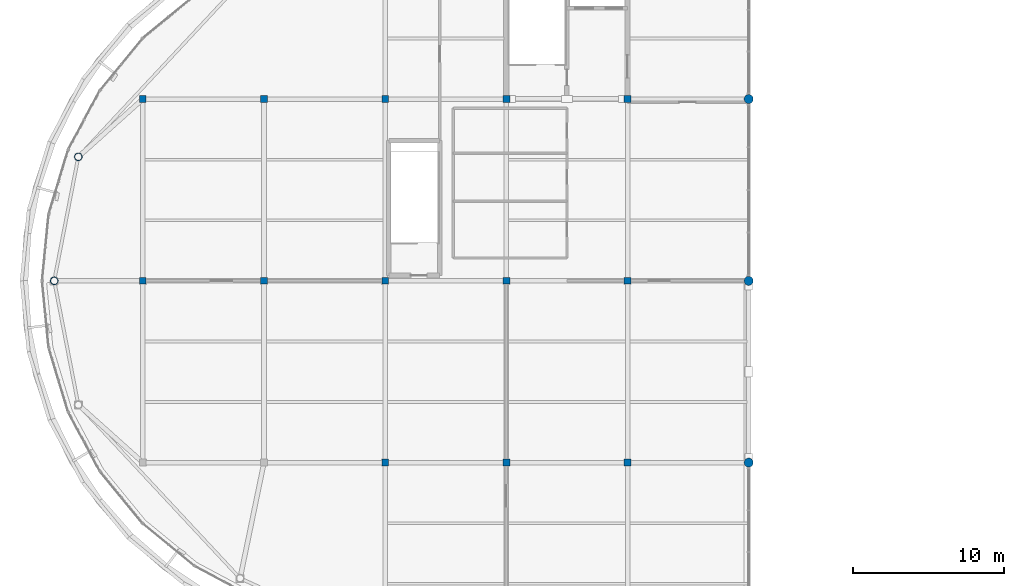
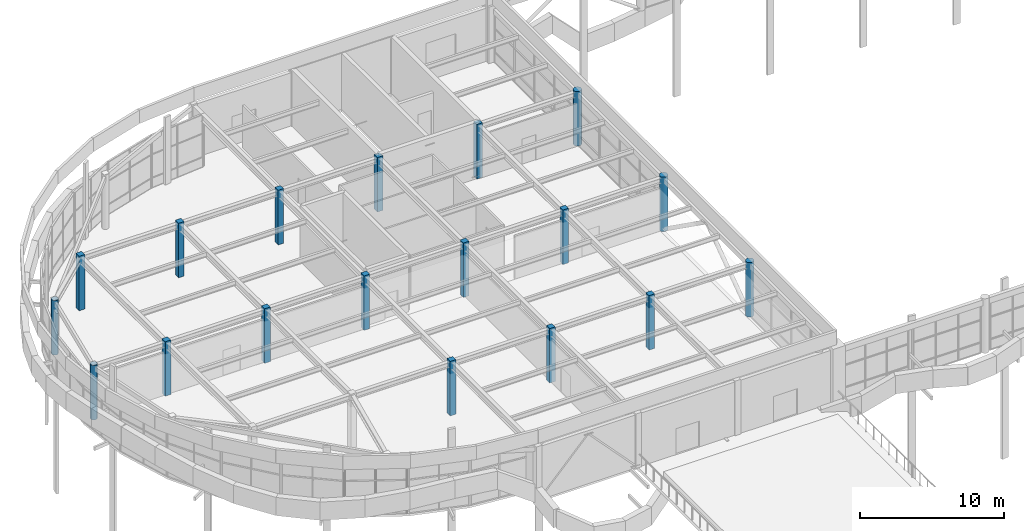
# One storey, part 2 of 63: 18 columns.
"""IFC4 building model written with IfcOpenShell, lengths in metres."""

from ifc_helpers import new_model, si_unit, direction, frame, origin, origin_2d, place, context, subcontext, project, spatial, rectangle, circle, hollow_circle, extrude, material, material_profile, profile_set, type_object, element, save


model = new_model("IFC4")

# Units and contexts
model_context = context("Model", 3, precision=1e-05, world=origin(), true_north=direction((0.0, 1.0)))
body_context = subcontext(model_context, "Body", "Model", "MODEL_VIEW")
ifc_project = project(units=[si_unit("LENGTHUNIT", "METRE"), si_unit("AREAUNIT", "SQUARE_METRE"), si_unit("VOLUMEUNIT", "CUBIC_METRE"), si_unit("PLANEANGLEUNIT", "RADIAN"), si_unit("MASSUNIT", "GRAM", prefix="KILO")], contexts=[model_context])

# Site, building, storey
site_placement = place(None, origin())
site = spatial("IfcSite", under=ifc_project, at=site_placement, CompositionType="ELEMENT")
building_placement = place(site_placement, origin())
building = spatial("IfcBuilding", under=site, at=building_placement, Name="Keelwater Ferry Terminal", CompositionType="ELEMENT")
storey_placement = place(building_placement, frame((0.0, 0.0, 10.199951171875)))
storey = spatial("IfcBuildingStorey", under=building, at=storey_placement, Name="L02", CompositionType="ELEMENT", Elevation=10.199951171875)

# Columns
ifc_material_1 = material(Name="Concrete C45/55", Category="concrete")
ifc_material_profile_1 = material_profile(ifc_material_1, rectangle(XDim=0.449951171875, YDim=0.449951171875, at=origin_2d()), Name="RC 450x450")
ifc_profile_set_1 = profile_set([ifc_material_profile_1], Name="Concrete C45/55")
column_type_1 = type_object("IfcColumnType", Name="C5 RC 450x450", PredefinedType="COLUMN", material=ifc_profile_set_1)
for number, where, z_axis, x_axis, name in (
    (1, (8.0, 66.0, 0.0), (0.0, 0.0, 1.0), (1.0, 0.0, 0.0), "Column CL-L02-0006"),
    (2, (8.0, 78.0, 0.0), (0.0, 0.0, 1.0), (1.0, 0.0, 0.0), "Column CL-L02-0009"),
    (3, (16.0, 66.0, 0.0), (0.0, 0.0, 1.0), (1.0, 0.0, 0.0), "Column CL-L02-0015"),
    (4, (16.0, 78.0, 0.0), (0.0, 0.0, 1.0), (1.0, 0.0, 0.0), "Column CL-L02-0018"),
    (5, (24.0, 54.0, 0.0), (0.0, 0.0, 1.0), (1.0, 0.0, 0.0), "Column CL-L02-0024"),
    (6, (24.0, 66.0, 0.0), (0.0, 0.0, 1.0), (1.0, 0.0, 0.0), "Column CL-L02-0027"),
    (7, (24.0, 78.0, 0.0), (0.0, 0.0, 1.0), (1.0, 0.0, 0.0), "Column CL-L02-0030"),
    (8, (32.0, 54.0, 0.0), (0.0, 0.0, 1.0), (1.0, 0.0, 0.0), "Column CL-L02-0049"),
    (9, (32.0, 66.0, 0.0), (0.0, 0.0, 1.0), (1.0, 0.0, 0.0), "Column CL-L02-0052"),
    (10, (32.0, 78.0, 0.0), (0.0, 0.0, 1.0), (1.0, 0.0, 0.0), "Column CL-L02-0055"),
    (11, (40.0, 54.0, 0.0), (0.0, 0.0, 1.0), (1.0, 0.0, 0.0), "Column CL-L02-0074"),
    (12, (40.0, 66.0, 0.0), (0.0, 0.0, 1.0), (1.0, 0.0, 0.0), "Column CL-L02-0077"),
    (13, (40.0, 78.0, 0.0), (0.0, 0.0, 1.0), (1.0, 0.0, 0.0), "Column CL-L02-0080"),
):
    element("IfcColumn", number, at=place(storey_placement, frame(where, z_axis=z_axis, x_axis=x_axis)), inside=storey, type_object=column_type_1, Name=name, PredefinedType="COLUMN", context=body_context, shape_type="SweptSolid", body=[
        extrude(rectangle(XDim=0.449951171875, YDim=0.449951171875, at=origin_2d()), origin(), (0.0, 0.0, 1.0), 4.64013671875),
    ])
ifc_material_2 = material(Name="Concrete C45/55", Category="concrete")
ifc_material_profile_2 = material_profile(ifc_material_2, circle(Radius=0.300048828125, at=origin_2d()), Name="RC D600")
ifc_profile_set_2 = profile_set([ifc_material_profile_2], Name="Concrete C45/55")
column_type_2 = type_object("IfcColumnType", Name="C7 RC D600", PredefinedType="COLUMN", material=ifc_profile_set_2)
for number, where, z_axis, x_axis, name in (
    (14, (48.0, 54.0, 0.0), (0.0, 0.0, 1.0), (1.0, 0.0, 0.0), "Column CL-L02-0099"),
    (15, (48.0, 66.0, 0.0), (0.0, 0.0, 1.0), (1.0, 0.0, 0.0), "Column CL-L02-0102"),
    (16, (48.0, 78.0, 0.0), (0.0, 0.0, 1.0), (1.0, 0.0, 0.0), "Column CL-L02-0105"),
):
    element("IfcColumn", number, at=place(storey_placement, frame(where, z_axis=z_axis, x_axis=x_axis)), inside=storey, type_object=column_type_2, Name=name, PredefinedType="COLUMN", context=body_context, shape_type="SweptSolid", body=[
        extrude(circle(Radius=0.300048828125, at=origin_2d()), origin(), (0.0, 0.0, 1.0), 4.64013671875),
    ])
ifc_material_3 = material(Name="Steel S355", Category="steel")
ifc_material_profile_3 = material_profile(ifc_material_3, hollow_circle(Radius=0.25390625, WallThickness=0.02001953125, at=origin_2d()), Name="CHS 508x20")
ifc_profile_set_3 = profile_set([ifc_material_profile_3], Name="Steel S355")
column_type_3 = type_object("IfcColumnType", Name="C8E CHS 508x20", PredefinedType="COLUMN", material=ifc_profile_set_3)
for number, where, z_axis, x_axis, name in (
    (17, (3.740966796875, 74.18505859375, 0.0), (0.0, 0.0, 1.0), (1.0, 0.0, 0.0), "Column CL-L02-0532"),
    (18, (2.14990234375, 66.0, 0.0), (0.0, 0.0, 1.0), (1.0, 0.0, 0.0), "Column CL-L02-0535"),
):
    element("IfcColumn", number, at=place(storey_placement, frame(where, z_axis=z_axis, x_axis=x_axis)), inside=storey, type_object=column_type_3, Name=name, PredefinedType="COLUMN", context=body_context, shape_type="SweptSolid", body=[
        extrude(hollow_circle(Radius=0.25390625, WallThickness=0.02001953125, at=origin_2d()), origin(), (0.0, 0.0, 1.0), 4.64013671875),
    ])

save(model, "model.ifc")
